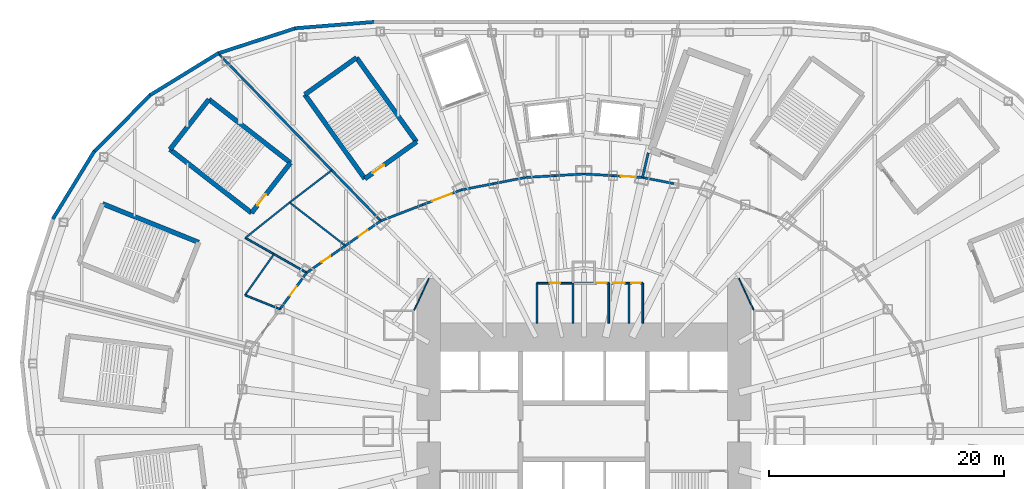
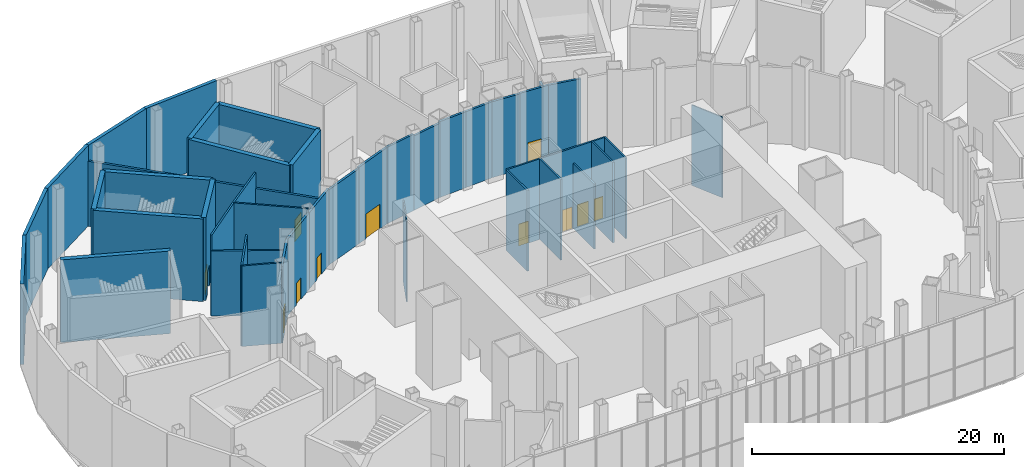
# One storey, part 15 of 74: 42 walls, 11 doors, 11 openings.
"""IFC4 building model written with IfcOpenShell, lengths in metres."""

from ifc_helpers import new_model, si_unit, direction, frame, frame_2d, origin, place, context, subcontext, project, spatial, rectangle, extrude, material, layer, layer_set, type_object, element, fill, save


model = new_model("IFC4")

# Units and contexts
model_context = context("Model", 3, precision=1e-05, world=origin(), true_north=direction((0.0, 1.0)))
body_context = subcontext(model_context, "Body", "Model", "MODEL_VIEW")
ifc_project = project(units=[si_unit("LENGTHUNIT", "METRE"), si_unit("AREAUNIT", "SQUARE_METRE"), si_unit("VOLUMEUNIT", "CUBIC_METRE"), si_unit("PLANEANGLEUNIT", "RADIAN"), si_unit("MASSUNIT", "GRAM", prefix="KILO")], contexts=[model_context])

# Site, building, storey
site_placement = place(None, origin())
site = spatial("IfcSite", under=ifc_project, at=site_placement, CompositionType="ELEMENT")
building_placement = place(site_placement, origin())
building = spatial("IfcBuilding", under=site, at=building_placement, Name="Lantaw Convention Tower", CompositionType="ELEMENT")
storey_placement = place(building_placement, frame((0.0, 0.0, 6.5)))
storey = spatial("IfcBuildingStorey", under=building, at=storey_placement, Name="L01", CompositionType="ELEMENT", Elevation=6.5)

# Walls
ifc_material_1 = material(Name="Gypsum board on steel studs, acoustic", Category="steel")
ifc_layer_1 = layer(ifc_material_1, 0.10009765625)
ifc_layer_set_1 = layer_set([ifc_layer_1], Name="Office partition 100")
wall_type_1 = type_object("IfcWallType", Name="Office partition 100", PredefinedType="PARTITIONING", material=ifc_layer_set_1)
for number, where, z_axis, x_axis, name in (
    (1, (13.199951171875, 13.0, 0.0), (0.0, 0.0, 1.0), (0.420129824888, -0.907464010437, 0.0), "Office partition 100"),
    (2, (-13.199951171875, 13.0, 0.0), (0.0, 0.0, 1.0), (-0.420129824888, -0.907464010437, 0.0), "Office partition 100"),
):
    element("IfcWall", number, at=place(storey_placement, frame(where, z_axis=z_axis, x_axis=x_axis)), inside=storey, type_object=wall_type_1, Name=name, PredefinedType="PARTITIONING", context=body_context, shape_type="SweptSolid", body=[
        extrude(rectangle(XDim=2.975341796875, YDim=0.10009765625, at=frame_2d((1.48779296875, 0.0))), origin(), (0.0, 0.0, 1.0), 7.800048828125),
    ])
ifc_material_2 = material(Name="Precast concrete panel, pale aluminium rainscreen", Category="concrete")
ifc_layer_2 = layer(ifc_material_2, 0.300048828125)
ifc_layer_set_2 = layer_set([ifc_layer_2], Name="Podium external wall 300")
wall_type_2 = type_object("IfcWallType", Name="Podium external wall 300", PredefinedType="SOLIDWALL", material=ifc_layer_set_2)
wall_1_placement = place(storey_placement, frame((-17.781494140625, 34.853759765625, 0.0), z_axis=(0.0, 0.0, 1.0), x_axis=(-0.996791084449, -0.080047073422, 0.0)))
element("IfcWall", 3, at=wall_1_placement, inside=storey, type_object=wall_type_2, Name="Podium facade wall", PredefinedType="SOLIDWALL", context=body_context, shape_type="SweptSolid", body=[
    extrude(rectangle(XDim=6.84716796875, YDim=0.300048828125, at=frame_2d((3.423583984375, 0.0))), origin(), (0.0, 0.0, 1.0), 7.800048828125),
])
wall_2_placement = place(storey_placement, frame((-24.49462890625, 34.327880859375, 0.0), z_axis=(0.0, 0.0, 1.0), x_axis=(-0.951140010357, -0.308759907853, 0.0)))
element("IfcWall", 4, at=wall_2_placement, inside=storey, type_object=wall_type_2, Name="Podium facade wall", PredefinedType="SOLIDWALL", context=body_context, shape_type="SweptSolid", body=[
    extrude(rectangle(XDim=7.041259765625, YDim=0.300048828125, at=frame_2d((3.5205078125, 0.0))), origin(), (0.0, 0.0, 1.0), 7.800048828125),
])
wall_3_placement = place(storey_placement, frame((-31.087646484375, 32.201904296875, 0.0), z_axis=(0.0, 0.0, 1.0), x_axis=(-0.851808565246, -0.52385319334, 0.0)))
element("IfcWall", 5, at=wall_3_placement, inside=storey, type_object=wall_type_2, Name="Podium facade wall", PredefinedType="SOLIDWALL", context=body_context, shape_type="SweptSolid", body=[
    extrude(rectangle(XDim=6.860595703125, YDim=0.300048828125, at=frame_2d((3.43017578125, 0.0))), origin(), (0.0, 0.0, 1.0), 7.800048828125),
])
wall_4_placement = place(storey_placement, frame((-36.841552734375, 28.678955078125, 0.0), z_axis=(0.0, 0.0, 1.0), x_axis=(-0.705874614645, -0.708336804352, 0.0)))
element("IfcWall", 6, at=wall_4_placement, inside=storey, type_object=wall_type_2, Name="Podium facade wall", PredefinedType="SOLIDWALL", context=body_context, shape_type="SweptSolid", body=[
    extrude(rectangle(XDim=6.94091796875, YDim=0.300048828125, at=frame_2d((3.470458984375, 0.0))), origin(), (0.0, 0.0, 1.0), 7.800048828125),
])
wall_5_placement = place(storey_placement, frame((-41.670166015625, 23.852294921875, 0.0), z_axis=(0.0, 0.0, 1.0), x_axis=(-0.52225340952, -0.852790347181, 0.0)))
element("IfcWall", 7, at=wall_5_placement, inside=storey, type_object=wall_type_2, Name="Podium facade wall", PredefinedType="SOLIDWALL", context=body_context, shape_type="SweptSolid", body=[
    extrude(rectangle(XDim=6.77099609375, YDim=0.300048828125, at=frame_2d((3.385498046875, 0.0))), origin(), (0.0, 0.0, 1.0), 7.800048828125),
])

# Wall, opening, door
ifc_material_3 = material(Name="Concrete blockwork, fire rated", Category="masonry")
ifc_layer_3 = layer(ifc_material_3, 0.199951171875)
ifc_layer_set_3 = layer_set([ifc_layer_3], Name="Podium lobby wall 200 EI 120")
wall_type_3 = type_object("IfcWallType", Name="Podium lobby wall 200 EI 120", PredefinedType="SOLIDWALL", material=ifc_layer_set_3)
wall_6_placement = place(storey_placement, frame((4.986328125, 21.59814453125, 0.0), z_axis=(0.0, 0.0, 1.0), x_axis=(-0.998172405641, 0.060430527186, 0.0)))
wall_6 = element("IfcWall", 8, at=wall_6_placement, inside=storey, type_object=wall_type_3, Name="Podium lobby wall 200", PredefinedType="SOLIDWALL", context=body_context, shape_type="SweptSolid", body=[
    extrude(rectangle(XDim=2.512939453125, YDim=0.199951171875, at=frame_2d((1.25634765625, 0.0))), origin(), (0.0, 0.0, 1.0), 7.396240234375),
])
opening_1_placement = place(wall_6_placement, frame((0.639892578125, 0.0, 0.0)))
opening_1 = element("IfcOpeningElement", 9, at=opening_1_placement, cuts=wall_6, Name="Opening L01.14", PredefinedType="OPENING", context=body_context, shape_type="SweptSolid", body=[
    extrude(rectangle(XDim=1.199951171875, YDim=2.39990234375, at=frame_2d((0.60009765625, 1.199951171875))), frame((0.0, 0.10986328125, 0.0), z_axis=(0.0, -1.0, 0.0), x_axis=(1.0, 0.0, 0.0)), (0.0, 0.0, 1.0), 0.219970703125),
])
ifc_material_4 = material(Name="Steel, fire rated", Category="steel")
door_type_1 = type_object("IfcDoorType", Name="Lobby door 1200 FD90", OperationType="SINGLE_SWING_RIGHT", PredefinedType="DOOR", material=ifc_material_4)
door_1_placement = place(opening_1_placement, origin())
door_1 = element("IfcDoor", 10, at=door_1_placement, inside=storey, type_object=door_type_1, Name="Podium lift lobby door", OperationType="SINGLE_SWING_RIGHT", OverallHeight=2.39990234375, OverallWidth=1.199951171875, PredefinedType="DOOR", context=body_context, shape_type="SweptSolid", body=[
    extrude(rectangle(XDim=1.199951171875, YDim=2.39990234375, at=frame_2d((0.60009765625, 1.199951171875))), frame((0.0, 0.02490234375, 0.0), z_axis=(0.0, -1.0, 0.0), x_axis=(1.0, 0.0, 0.0)), (0.0, 0.0, 1.0), 0.050048828125),
])
fill(opening_1, door_1)

# Walls
ifc_material_5 = material(Name="Concrete blockwork", Category="masonry")
ifc_layer_4 = layer(ifc_material_5, 0.199951171875)
ifc_layer_set_4 = layer_set([ifc_layer_4], Name="Podium partition 200")
wall_type_4 = type_object("IfcWallType", Name="Podium partition 200", PredefinedType="SOLIDWALL", material=ifc_layer_set_4)
wall_7_placement = place(storey_placement, frame((7.671142578125, 21.076416015625, 0.0), z_axis=(0.0, 0.0, 1.0), x_axis=(-0.981637218105, 0.190757364289, 0.0)))
element("IfcWall", 11, at=wall_7_placement, inside=storey, type_object=wall_type_4, Name="Podium partition 200", PredefinedType="SOLIDWALL", context=body_context, shape_type="SweptSolid", body=[
    extrude(rectangle(XDim=2.735107421875, YDim=0.199951171875, at=frame_2d((1.36767578125, 0.0))), origin(), (0.0, 0.0, 1.0), 7.396240234375),
])
wall_8_placement = place(storey_placement, frame((2.47802734375, 21.75, 0.0), z_axis=(0.0, 0.0, 1.0), x_axis=(-0.998175328335, 0.060382231685, 0.0)))
element("IfcWall", 12, at=wall_8_placement, inside=storey, type_object=wall_type_4, Name="Podium partition 200", PredefinedType="SOLIDWALL", context=body_context, shape_type="SweptSolid", body=[
    extrude(rectangle(XDim=2.482666015625, YDim=0.199951171875, at=frame_2d((1.2412109375, 0.0))), origin(), (0.0, 0.0, 1.0), 7.3427734375),
])
wall_9_placement = place(storey_placement, frame((0.0, 21.89990234375, 0.0), z_axis=(0.0, 0.0, 1.0), x_axis=(-0.998175328335, -0.060382231685, 0.0)))
element("IfcWall", 13, at=wall_9_placement, inside=storey, type_object=wall_type_4, Name="Podium partition 200", PredefinedType="SOLIDWALL", context=body_context, shape_type="SweptSolid", body=[
    extrude(rectangle(XDim=2.482666015625, YDim=0.199951171875, at=frame_2d((1.2412109375, 0.0))), origin(), (0.0, 0.0, 1.0), 7.350341796875),
])
wall_10_placement = place(storey_placement, frame((-2.47802734375, 21.75, 0.0), z_axis=(0.0, 0.0, 1.0), x_axis=(-0.998172405641, -0.060430527186, 0.0)))
element("IfcWall", 14, at=wall_10_placement, inside=storey, type_object=wall_type_4, Name="Podium partition 200", PredefinedType="SOLIDWALL", context=body_context, shape_type="SweptSolid", body=[
    extrude(rectangle(XDim=2.512939453125, YDim=0.199951171875, at=frame_2d((1.25634765625, 0.0))), origin(), (0.0, 0.0, 1.0), 7.350341796875),
])
wall_11_placement = place(storey_placement, frame((-4.986328125, 21.59814453125, 0.0), z_axis=(0.0, 0.0, 1.0), x_axis=(-0.981637218105, -0.190757364289, 0.0)))
element("IfcWall", 15, at=wall_11_placement, inside=storey, type_object=wall_type_4, Name="Podium partition 200", PredefinedType="SOLIDWALL", context=body_context, shape_type="SweptSolid", body=[
    extrude(rectangle(XDim=2.735107421875, YDim=0.199951171875, at=frame_2d((1.36767578125, 0.0))), origin(), (0.0, 0.0, 1.0), 7.200439453125),
])
wall_12_placement = place(storey_placement, frame((-7.671142578125, 21.076416015625, 0.0), z_axis=(0.0, 0.0, 1.0), x_axis=(-0.98163593748, -0.190763954266, 0.0)))
element("IfcWall", 16, at=wall_12_placement, inside=storey, type_object=wall_type_4, Name="Podium partition 200", PredefinedType="SOLIDWALL", context=body_context, shape_type="SweptSolid", body=[
    extrude(rectangle(XDim=2.84375, YDim=0.199951171875, at=frame_2d((1.421875, 0.0))), origin(), (0.0, 0.0, 1.0), 7.396240234375),
])

# Wall, opening, door
wall_13_placement = place(storey_placement, frame((-10.462646484375, 20.533935546875, 0.0), z_axis=(0.0, 0.0, 1.0), x_axis=(-0.933241815012, -0.359248820058, 0.0)))
wall_13 = element("IfcWall", 17, at=wall_13_placement, inside=storey, type_object=wall_type_4, Name="Podium partition 200", PredefinedType="SOLIDWALL", context=body_context, shape_type="SweptSolid", body=[
    extrude(rectangle(XDim=3.517578125, YDim=0.199951171875, at=frame_2d((1.7587890625, 0.0))), origin(), (0.0, 0.0, 1.0), 7.396240234375),
])
opening_2_placement = place(wall_13_placement, frame((0.85888671875, 0.0, 0.0)))
opening_2 = element("IfcOpeningElement", 18, at=opening_2_placement, cuts=wall_13, Name="Opening L01.15", PredefinedType="OPENING", context=body_context, shape_type="SweptSolid", body=[
    extrude(rectangle(XDim=1.800048828125, YDim=2.39990234375, at=frame_2d((0.89990234375, 1.199951171875))), frame((0.0, 0.10986328125, 0.0), z_axis=(0.0, -1.0, 0.0), x_axis=(1.0, 0.0, 0.0)), (0.0, 0.0, 1.0), 0.219970703125),
])
ifc_material_6 = material(Name="Timber", Category="wood")
door_type_2 = type_object("IfcDoorType", Name="Hall double door 1800", OperationType="DOUBLE_DOOR_DOUBLE_SWING", PredefinedType="DOOR", material=ifc_material_6)
door_2_placement = place(opening_2_placement, origin())
door_2 = element("IfcDoor", 19, at=door_2_placement, inside=storey, type_object=door_type_2, Name="Goods corridor door", OperationType="DOUBLE_DOOR_DOUBLE_SWING", OverallHeight=2.39990234375, OverallWidth=1.800048828125, PredefinedType="DOOR", context=body_context, shape_type="SweptSolid", body=[
    extrude(rectangle(XDim=1.800048828125, YDim=2.39990234375, at=frame_2d((0.89990234375, 1.199951171875))), frame((0.0, 0.02490234375, 0.0), z_axis=(0.0, -1.0, 0.0), x_axis=(1.0, 0.0, 0.0)), (0.0, 0.0, 1.0), 0.050048828125),
])
fill(opening_2, door_2)

# Wall
wall_14_placement = place(storey_placement, frame((-13.745361328125, 19.270263671875, 0.0), z_axis=(0.0, 0.0, 1.0), x_axis=(-0.933224646415, -0.359293416754, 0.0)))
element("IfcWall", 20, at=wall_14_placement, inside=storey, type_object=wall_type_4, Name="Podium partition 200", PredefinedType="SOLIDWALL", context=body_context, shape_type="SweptSolid", body=[
    extrude(rectangle(XDim=3.799072265625, YDim=0.199951171875, at=frame_2d((1.8994140625, 0.0))), origin(), (0.0, 0.0, 1.0), 7.274169921875),
])

# Wall, opening, door
wall_15_placement = place(storey_placement, frame((-17.290771484375, 17.9052734375, 0.0), z_axis=(0.0, 0.0, 1.0), x_axis=(-0.819409395821, -0.573208724672, 0.0)))
wall_15 = element("IfcWall", 21, at=wall_15_placement, inside=storey, type_object=wall_type_4, Name="Podium partition 200", PredefinedType="SOLIDWALL", context=body_context, shape_type="SweptSolid", body=[
    extrude(rectangle(XDim=3.682861328125, YDim=0.199951171875, at=frame_2d((1.84130859375, 0.0))), origin(), (0.0, 0.0, 1.0), 7.396240234375),
])
opening_3_placement = place(wall_15_placement, frame((1.391357421875, 0.0, 0.0)))
opening_3 = element("IfcOpeningElement", 22, at=opening_3_placement, cuts=wall_15, Name="Opening L01.16", PredefinedType="OPENING", context=body_context, shape_type="SweptSolid", body=[
    extrude(rectangle(XDim=0.89990234375, YDim=2.10009765625, at=frame_2d((0.449951171875, 1.050048828125))), frame((0.0, 0.10986328125, 0.0), z_axis=(0.0, -1.0, 0.0), x_axis=(1.0, 0.0, 0.0)), (0.0, 0.0, 1.0), 0.219970703125),
])
door_type_3 = type_object("IfcDoorType", Name="WC door 900", OperationType="SINGLE_SWING_LEFT", PredefinedType="DOOR", material=ifc_material_6)
door_3_placement = place(opening_3_placement, origin())
door_3 = element("IfcDoor", 23, at=door_3_placement, inside=storey, type_object=door_type_3, Name="Male WC door", OperationType="SINGLE_SWING_LEFT", OverallHeight=2.10009765625, OverallWidth=0.89990234375, PredefinedType="DOOR", context=body_context, shape_type="SweptSolid", body=[
    extrude(rectangle(XDim=0.89990234375, YDim=2.10009765625, at=frame_2d((0.449951171875, 1.050048828125))), frame((0.0, 0.02490234375, 0.0), z_axis=(0.0, -1.0, 0.0), x_axis=(1.0, 0.0, 0.0)), (0.0, 0.0, 1.0), 0.050048828125),
])
fill(opening_3, door_3)

wall_16_placement = place(storey_placement, frame((-20.30859375, 15.794189453125, 0.0), z_axis=(0.0, 0.0, 1.0), x_axis=(-0.819442856133, -0.573160889744, 0.0)))
wall_16 = element("IfcWall", 24, at=wall_16_placement, inside=storey, type_object=wall_type_4, Name="Podium partition 200", PredefinedType="SOLIDWALL", context=body_context, shape_type="SweptSolid", body=[
    extrude(rectangle(XDim=4.022705078125, YDim=0.199951171875, at=frame_2d((2.01123046875, 0.0))), origin(), (0.0, 0.0, 1.0), 7.396240234375),
])
opening_4_placement = place(wall_16_placement, frame((1.561279296875, 0.0, 0.0)))
opening_4 = element("IfcOpeningElement", 25, at=opening_4_placement, cuts=wall_16, Name="Opening L01.17", PredefinedType="OPENING", context=body_context, shape_type="SweptSolid", body=[
    extrude(rectangle(XDim=0.89990234375, YDim=2.10009765625, at=frame_2d((0.449951171875, 1.050048828125))), frame((0.0, 0.10986328125, 0.0), z_axis=(0.0, -1.0, 0.0), x_axis=(1.0, 0.0, 0.0)), (0.0, 0.0, 1.0), 0.219970703125),
])
door_4_placement = place(opening_4_placement, origin())
door_4 = element("IfcDoor", 26, at=door_4_placement, inside=storey, type_object=door_type_3, Name="Female WC door", OperationType="SINGLE_SWING_LEFT", OverallHeight=2.10009765625, OverallWidth=0.89990234375, PredefinedType="DOOR", context=body_context, shape_type="SweptSolid", body=[
    extrude(rectangle(XDim=0.89990234375, YDim=2.10009765625, at=frame_2d((0.449951171875, 1.050048828125))), frame((0.0, 0.02490234375, 0.0), z_axis=(0.0, -1.0, 0.0), x_axis=(1.0, 0.0, 0.0)), (0.0, 0.0, 1.0), 0.050048828125),
])
fill(opening_4, door_4)

wall_17_placement = place(storey_placement, frame((-23.60498046875, 13.488525390625, 0.0), z_axis=(0.0, 0.0, 1.0), x_axis=(-0.591286566758, -0.806461527893, 0.0)))
wall_17 = element("IfcWall", 27, at=wall_17_placement, inside=storey, type_object=wall_type_4, Name="Podium partition 200", PredefinedType="SOLIDWALL", context=body_context, shape_type="SweptSolid", body=[
    extrude(rectangle(XDim=3.843994140625, YDim=0.199951171875, at=frame_2d((1.921875, 0.0))), origin(), (0.0, 0.0, 1.0), 7.396240234375),
])
opening_5_placement = place(wall_17_placement, frame((1.422119140625, 0.0, 0.0)))
opening_5 = element("IfcOpeningElement", 28, at=opening_5_placement, cuts=wall_17, Name="Opening L01.18", PredefinedType="OPENING", context=body_context, shape_type="SweptSolid", body=[
    extrude(rectangle(XDim=1.0, YDim=2.10009765625, at=frame_2d((0.5, 1.050048828125))), frame((0.0, 0.10986328125, 0.0), z_axis=(0.0, -1.0, 0.0), x_axis=(1.0, 0.0, 0.0)), (0.0, 0.0, 1.0), 0.219970703125),
])
door_type_4 = type_object("IfcDoorType", Name="Accessible WC door 1000", OperationType="SINGLE_SWING_LEFT", PredefinedType="DOOR", material=ifc_material_6)
door_5_placement = place(opening_5_placement, origin())
door_5 = element("IfcDoor", 29, at=door_5_placement, inside=storey, type_object=door_type_4, Name="Accessible WC door", OperationType="SINGLE_SWING_LEFT", OverallHeight=2.10009765625, OverallWidth=1.0, PredefinedType="DOOR", context=body_context, shape_type="SweptSolid", body=[
    extrude(rectangle(XDim=1.0, YDim=2.10009765625, at=frame_2d((0.5, 1.050048828125))), frame((0.0, 0.02490234375, 0.0), z_axis=(0.0, -1.0, 0.0), x_axis=(1.0, 0.0, 0.0)), (0.0, 0.0, 1.0), 0.050048828125),
])
fill(opening_5, door_5)

# Walls
wall_18_placement = place(storey_placement, frame((4.986328125, 21.59814453125, 0.0), z_axis=(0.0, 0.0, 1.0), x_axis=(0.227351065365, 0.973812863479, 0.0)))
element("IfcWall", 30, at=wall_18_placement, inside=storey, type_object=wall_type_4, Name="Podium partition 200", PredefinedType="SOLIDWALL", context=body_context, shape_type="SweptSolid", body=[
    extrude(rectangle(XDim=2.16064453125, YDim=0.199951171875, at=frame_2d((1.080322265625, 0.0))), origin(), (0.0, 0.0, 1.0), 6.300048828125),
])
wall_19_placement = place(storey_placement, frame((-17.290771484375, 17.9052734375, 0.0), z_axis=(0.0, 0.0, 1.0), x_axis=(-0.696460684513, 0.717594951855, 0.0)))
element("IfcWall", 31, at=wall_19_placement, inside=storey, type_object=wall_type_4, Name="Podium partition 200", PredefinedType="SOLIDWALL", context=body_context, shape_type="SweptSolid", body=[
    extrude(rectangle(XDim=19.880859375, YDim=0.199951171875, at=frame_2d((9.9404296875, 0.0))), origin(), (0.0, 0.0, 1.0), 6.300048828125),
])
ifc_material_7 = material(Name="Concrete C40/50, stair core", Category="concrete")
ifc_layer_5 = layer(ifc_material_7, 0.39990234375)
ifc_layer_set_5 = layer_set([ifc_layer_5], Name="Stair enclosure wall 400 EI 120")
wall_type_5 = type_object("IfcWallType", Name="Stair enclosure wall 400 EI 120", PredefinedType="SHEAR", material=ifc_layer_set_5)
wall_20_placement = place(storey_placement, frame((-14.2509765625, 24.628662109375, 0.0), z_axis=(0.0, 0.0, 1.0), x_axis=(-0.580705313356, 0.814113836659, 0.0)))
element("IfcWall", 32, at=wall_20_placement, inside=storey, type_object=wall_type_5, Name="Stair enclosure wall", PredefinedType="SHEAR", context=body_context, shape_type="SweptSolid", body=[
    extrude(rectangle(XDim=8.7998046875, YDim=0.39990234375, at=frame_2d((4.39990234375, 0.0))), origin(), (0.0, 0.0, 1.0), 8.0),
])
wall_21_placement = place(storey_placement, frame((-19.361083984375, 31.792724609375, 0.0), z_axis=(0.0, 0.0, 1.0), x_axis=(-0.814121252423, -0.580694916762, 0.0)))
element("IfcWall", 33, at=wall_21_placement, inside=storey, type_object=wall_type_5, Name="Stair enclosure wall", PredefinedType="SHEAR", context=body_context, shape_type="SweptSolid", body=[
    extrude(rectangle(XDim=5.39990234375, YDim=0.39990234375, at=frame_2d((2.699951171875, 0.0))), origin(), (0.0, 0.0, 1.0), 8.0),
])
wall_22_placement = place(storey_placement, frame((-23.75732421875, 28.656982421875, 0.0), z_axis=(0.0, 0.0, 1.0), x_axis=(0.580705313356, -0.814113836659, 0.0)))
element("IfcWall", 34, at=wall_22_placement, inside=storey, type_object=wall_type_5, Name="Stair enclosure wall", PredefinedType="SHEAR", context=body_context, shape_type="SweptSolid", body=[
    extrude(rectangle(XDim=8.7998046875, YDim=0.39990234375, at=frame_2d((4.39990234375, 0.0))), origin(), (0.0, 0.0, 1.0), 8.0),
])

# Wall, opening, door
wall_23_placement = place(storey_placement, frame((-18.647216796875, 21.492919921875, 0.0), z_axis=(0.0, 0.0, 1.0), x_axis=(0.814121252423, 0.580694916762, 0.0)))
wall_23 = element("IfcWall", 35, at=wall_23_placement, inside=storey, type_object=wall_type_5, Name="Stair enclosure wall", PredefinedType="SHEAR", context=body_context, shape_type="SweptSolid", body=[
    extrude(rectangle(XDim=5.39990234375, YDim=0.39990234375, at=frame_2d((2.699951171875, 0.0))), origin(), (0.0, 0.0, 1.0), 8.0),
])
opening_6_placement = place(wall_23_placement, frame((0.800048828125, 0.0, 0.0)))
opening_6 = element("IfcOpeningElement", 36, at=opening_6_placement, cuts=wall_23, Name="Opening L01.P6", PredefinedType="OPENING", context=body_context, shape_type="SweptSolid", body=[
    extrude(rectangle(XDim=1.199951171875, YDim=2.10009765625, at=frame_2d((0.60009765625, 1.050048828125))), frame((0.0, 0.2099609375, 0.0), z_axis=(0.0, -1.0, 0.0), x_axis=(1.0, 0.0, 0.0)), (0.0, 0.0, 1.0), 0.419921875),
])
door_type_5 = type_object("IfcDoorType", Name="Stair door FD90", OperationType="SINGLE_SWING_RIGHT", PredefinedType="DOOR", material=ifc_material_4)
door_6_placement = place(opening_6_placement, origin())
door_6 = element("IfcDoor", 37, at=door_6_placement, inside=storey, type_object=door_type_5, Name="Exit stair door", OperationType="SINGLE_SWING_RIGHT", OverallHeight=2.10009765625, OverallWidth=1.199951171875, PredefinedType="DOOR", context=body_context, shape_type="SweptSolid", body=[
    extrude(rectangle(XDim=1.199951171875, YDim=2.10009765625, at=frame_2d((0.60009765625, 1.050048828125))), frame((0.0, 0.02490234375, 0.0), z_axis=(0.0, -1.0, 0.0), x_axis=(1.0, 0.0, 0.0)), (0.0, 0.0, 1.0), 0.050048828125),
])
fill(opening_6, door_6)

# Walls
wall_24_placement = place(storey_placement, frame((-24.9775390625, 22.845703125, 0.0), z_axis=(0.0, 0.0, 1.0), x_axis=(-0.78938060008, 0.613904119726, 0.0)))
element("IfcWall", 38, at=wall_24_placement, inside=storey, type_object=wall_type_5, Name="Stair enclosure wall", PredefinedType="SHEAR", context=body_context, shape_type="SweptSolid", body=[
    extrude(rectangle(XDim=8.800048828125, YDim=0.39990234375, at=frame_2d((4.39990234375, 0.0))), origin(), (0.0, 0.0, 1.0), 8.0),
])
wall_25_placement = place(storey_placement, frame((-31.924072265625, 28.248046875, 0.0), z_axis=(0.0, 0.0, 1.0), x_axis=(-0.613912443548, -0.789374126544, 0.0)))
element("IfcWall", 39, at=wall_25_placement, inside=storey, type_object=wall_type_5, Name="Stair enclosure wall", PredefinedType="SHEAR", context=body_context, shape_type="SweptSolid", body=[
    extrude(rectangle(XDim=5.400146484375, YDim=0.39990234375, at=frame_2d((2.7001953125, 0.0))), origin(), (0.0, 0.0, 1.0), 8.0),
])
wall_26_placement = place(storey_placement, frame((-35.2392578125, 23.9853515625, 0.0), z_axis=(0.0, 0.0, 1.0), x_axis=(0.78938060008, -0.613904119726, 0.0)))
element("IfcWall", 40, at=wall_26_placement, inside=storey, type_object=wall_type_5, Name="Stair enclosure wall", PredefinedType="SHEAR", context=body_context, shape_type="SweptSolid", body=[
    extrude(rectangle(XDim=8.800048828125, YDim=0.39990234375, at=frame_2d((4.39990234375, 0.0))), origin(), (0.0, 0.0, 1.0), 8.0),
])

# Wall, opening, door
wall_27_placement = place(storey_placement, frame((-28.292724609375, 18.5830078125, 0.0), z_axis=(0.0, 0.0, 1.0), x_axis=(0.613912443548, 0.789374126544, 0.0)))
wall_27 = element("IfcWall", 41, at=wall_27_placement, inside=storey, type_object=wall_type_5, Name="Stair enclosure wall", PredefinedType="SHEAR", context=body_context, shape_type="SweptSolid", body=[
    extrude(rectangle(XDim=5.400146484375, YDim=0.39990234375, at=frame_2d((2.7001953125, 0.0))), origin(), (0.0, 0.0, 1.0), 8.0),
])
opening_7_placement = place(wall_27_placement, frame((0.800048828125, 0.0, 0.0)))
opening_7 = element("IfcOpeningElement", 42, at=opening_7_placement, cuts=wall_27, Name="Opening L01.P7", PredefinedType="OPENING", context=body_context, shape_type="SweptSolid", body=[
    extrude(rectangle(XDim=1.199951171875, YDim=2.10009765625, at=frame_2d((0.60009765625, 1.050048828125))), frame((0.0, 0.2099609375, 0.0), z_axis=(0.0, -1.0, 0.0), x_axis=(1.0, 0.0, 0.0)), (0.0, 0.0, 1.0), 0.419921875),
])
door_7_placement = place(opening_7_placement, origin())
door_7 = element("IfcDoor", 43, at=door_7_placement, inside=storey, type_object=door_type_5, Name="Exit stair door", OperationType="SINGLE_SWING_RIGHT", OverallHeight=2.10009765625, OverallWidth=1.199951171875, PredefinedType="DOOR", context=body_context, shape_type="SweptSolid", body=[
    extrude(rectangle(XDim=1.199951171875, YDim=2.10009765625, at=frame_2d((0.60009765625, 1.050048828125))), frame((0.0, 0.02490234375, 0.0), z_axis=(0.0, -1.0, 0.0), x_axis=(1.0, 0.0, 0.0)), (0.0, 0.0, 1.0), 0.050048828125),
])
fill(opening_7, door_7)

# Walls
wall_28_placement = place(storey_placement, frame((-32.800048828125, 16.07666015625, 0.0), z_axis=(0.0, 0.0, 1.0), x_axis=(-0.92801678004, 0.372538395288, 0.0)))
element("IfcWall", 44, at=wall_28_placement, inside=storey, type_object=wall_type_5, Name="Stair enclosure wall", PredefinedType="SHEAR", context=body_context, shape_type="SweptSolid", body=[
    extrude(rectangle(XDim=8.800048828125, YDim=0.39990234375, at=frame_2d((4.39990234375, 0.0))), origin(), (0.0, 0.0, 1.0), 8.0),
])
ifc_layer_6 = layer(ifc_material_5, 0.14990234375)
ifc_layer_set_6 = layer_set([ifc_layer_6], Name="WC wall 150")
wall_type_6 = type_object("IfcWallType", Name="WC wall 150", PredefinedType="SOLIDWALL", material=ifc_layer_set_6)
wall_29_placement = place(storey_placement, frame((-21.469482421875, 22.210693359375, 0.0), z_axis=(0.0, 0.0, 1.0), x_axis=(-0.794122703503, -0.607757461313, 0.0)))
element("IfcWall", 45, at=wall_29_placement, inside=storey, type_object=wall_type_6, Name="WC wall 150", PredefinedType="SOLIDWALL", context=body_context, shape_type="SweptSolid", body=[
    extrude(rectangle(XDim=4.51025390625, YDim=0.14990234375, at=frame_2d((2.255126953125, 0.0))), origin(), (0.0, 0.0, 1.0), 7.800048828125),
])
wall_30_placement = place(storey_placement, frame((-20.30859375, 15.794189453125, 0.0), z_axis=(0.0, 0.0, 1.0), x_axis=(-0.790437708207, 0.61254243073, 0.0)))
element("IfcWall", 46, at=wall_30_placement, inside=storey, type_object=wall_type_6, Name="WC wall 150", PredefinedType="SOLIDWALL", context=body_context, shape_type="SweptSolid", body=[
    extrude(rectangle(XDim=6.0, YDim=0.14990234375, at=frame_2d((3.0, 0.0))), origin(), (0.0, 0.0, 1.0), 7.800048828125),
])
wall_31_placement = place(storey_placement, frame((-25.05126953125, 19.469482421875, 0.0), z_axis=(0.0, 0.0, 1.0), x_axis=(-0.781204641684, -0.624275025779, 0.0)))
element("IfcWall", 47, at=wall_31_placement, inside=storey, type_object=wall_type_6, Name="WC wall 150", PredefinedType="SOLIDWALL", context=body_context, shape_type="SweptSolid", body=[
    extrude(rectangle(XDim=4.8212890625, YDim=0.14990234375, at=frame_2d((2.41064453125, 0.0))), origin(), (0.0, 0.0, 1.0), 7.800048828125),
])
wall_32_placement = place(storey_placement, frame((-23.60498046875, 13.488525390625, 0.0), z_axis=(0.0, 0.0, 1.0), x_axis=(-0.868778495598, 0.49520089417, 0.0)))
element("IfcWall", 48, at=wall_32_placement, inside=storey, type_object=wall_type_6, Name="WC wall 150", PredefinedType="SOLIDWALL", context=body_context, shape_type="SweptSolid", body=[
    extrude(rectangle(XDim=6.0, YDim=0.14990234375, at=frame_2d((3.0, 0.0))), origin(), (0.0, 0.0, 1.0), 6.300048828125),
])
wall_33_placement = place(storey_placement, frame((-26.385009765625, 15.0732421875, 0.0), z_axis=(0.0, 0.0, 1.0), x_axis=(-0.576153892924, -0.81734123331, 0.0)))
element("IfcWall", 49, at=wall_33_placement, inside=storey, type_object=wall_type_6, Name="WC wall 150", PredefinedType="SOLIDWALL", context=body_context, shape_type="SweptSolid", body=[
    extrude(rectangle(XDim=4.274658203125, YDim=0.14990234375, at=frame_2d((2.13720703125, 0.0))), origin(), (0.0, 0.0, 1.0), 7.800048828125),
])
wall_34_placement = place(storey_placement, frame((-25.8779296875, 10.388427734375, 0.0), z_axis=(0.0, 0.0, 1.0), x_axis=(-0.928160641083, 0.372179827966, 0.0)))
element("IfcWall", 50, at=wall_34_placement, inside=storey, type_object=wall_type_6, Name="WC wall 150", PredefinedType="SOLIDWALL", context=body_context, shape_type="SweptSolid", body=[
    extrude(rectangle(XDim=3.199951171875, YDim=0.14990234375, at=frame_2d((1.60009765625, 0.0))), origin(), (0.0, 0.0, 1.0), 7.800048828125),
])

# Wall, openings, doors
wall_35_placement = place(storey_placement, frame((-4.0, 12.60009765625, 0.0), z_axis=(0.0, 0.0, 1.0), x_axis=(1.0, 0.0, 0.0)))
wall_35 = element("IfcWall", 51, at=wall_35_placement, inside=storey, type_object=wall_type_6, Name="WC wall 150", PredefinedType="SOLIDWALL", context=body_context, shape_type="SweptSolid", body=[
    extrude(rectangle(XDim=9.0, YDim=0.14990234375, at=frame_2d((4.5, 0.0))), origin(), (0.0, 0.0, 1.0), 7.800048828125),
])
opening_8_placement = place(wall_35_placement, frame((1.10009765625, 0.0, 0.0)))
opening_8 = element("IfcOpeningElement", 52, at=opening_8_placement, cuts=wall_35, Name="Opening L01.22", PredefinedType="OPENING", context=body_context, shape_type="SweptSolid", body=[
    extrude(rectangle(XDim=0.89990234375, YDim=2.10009765625, at=frame_2d((0.449951171875, 1.050048828125))), frame((0.0, 0.0849609375, 0.0), z_axis=(0.0, -1.0, 0.0), x_axis=(1.0, 0.0, 0.0)), (0.0, 0.0, 1.0), 0.169921875),
])
opening_9_placement = place(wall_35_placement, frame((5.06005859375, 0.0, 0.0)))
opening_9 = element("IfcOpeningElement", 53, at=opening_9_placement, cuts=wall_35, Name="Opening L01.23", PredefinedType="OPENING", context=body_context, shape_type="SweptSolid", body=[
    extrude(rectangle(XDim=0.89990234375, YDim=2.10009765625, at=frame_2d((0.449951171875, 1.050048828125))), frame((0.0, 0.0849609375, 0.0), z_axis=(0.0, -1.0, 0.0), x_axis=(1.0, 0.0, 0.0)), (0.0, 0.0, 1.0), 0.169921875),
])
opening_10_placement = place(wall_35_placement, frame((6.469970703125, 0.0, 0.0)))
opening_10 = element("IfcOpeningElement", 54, at=opening_10_placement, cuts=wall_35, Name="Opening L01.24", PredefinedType="OPENING", context=body_context, shape_type="SweptSolid", body=[
    extrude(rectangle(XDim=1.0, YDim=2.10009765625, at=frame_2d((0.5, 1.050048828125))), frame((0.0, 0.0849609375, 0.0), z_axis=(0.0, -1.0, 0.0), x_axis=(1.0, 0.0, 0.0)), (0.0, 0.0, 1.0), 0.169921875),
])
opening_11_placement = place(wall_35_placement, frame((8.030029296875, 0.0, 0.0)))
opening_11 = element("IfcOpeningElement", 55, at=opening_11_placement, cuts=wall_35, Name="Opening L01.25", PredefinedType="OPENING", context=body_context, shape_type="SweptSolid", body=[
    extrude(rectangle(XDim=0.800048828125, YDim=2.10009765625, at=frame_2d((0.39990234375, 1.050048828125))), frame((0.0, 0.0849609375, 0.0), z_axis=(0.0, -1.0, 0.0), x_axis=(1.0, 0.0, 0.0)), (0.0, 0.0, 1.0), 0.169921875),
])
door_8_placement = place(opening_10_placement, origin())
door_8 = element("IfcDoor", 56, at=door_8_placement, inside=storey, type_object=door_type_4, Name="Accessible WC door", OperationType="SINGLE_SWING_LEFT", OverallHeight=2.10009765625, OverallWidth=1.0, PredefinedType="DOOR", context=body_context, shape_type="SweptSolid", body=[
    extrude(rectangle(XDim=1.0, YDim=2.10009765625, at=frame_2d((0.5, 1.050048828125))), frame((0.0, 0.02490234375, 0.0), z_axis=(0.0, -1.0, 0.0), x_axis=(1.0, 0.0, 0.0)), (0.0, 0.0, 1.0), 0.050048828125),
])
fill(opening_10, door_8)
door_type_6 = type_object("IfcDoorType", Name="WC door 800", OperationType="SINGLE_SWING_LEFT", PredefinedType="DOOR", material=ifc_material_6)
door_9_placement = place(opening_11_placement, origin())
door_9 = element("IfcDoor", 57, at=door_9_placement, inside=storey, type_object=door_type_6, Name="Cleaner's store door", OperationType="SINGLE_SWING_LEFT", OverallHeight=2.10009765625, OverallWidth=0.800048828125, PredefinedType="DOOR", context=body_context, shape_type="SweptSolid", body=[
    extrude(rectangle(XDim=0.800048828125, YDim=2.10009765625, at=frame_2d((0.39990234375, 1.050048828125))), frame((0.0, 0.02490234375, 0.0), z_axis=(0.0, -1.0, 0.0), x_axis=(1.0, 0.0, 0.0)), (0.0, 0.0, 1.0), 0.050048828125),
])
fill(opening_11, door_9)
door_10_placement = place(opening_8_placement, origin())
door_10 = element("IfcDoor", 58, at=door_10_placement, inside=storey, type_object=door_type_3, Name="Male WC door", OperationType="SINGLE_SWING_LEFT", OverallHeight=2.10009765625, OverallWidth=0.89990234375, PredefinedType="DOOR", context=body_context, shape_type="SweptSolid", body=[
    extrude(rectangle(XDim=0.89990234375, YDim=2.10009765625, at=frame_2d((0.449951171875, 1.050048828125))), frame((0.0, 0.02490234375, 0.0), z_axis=(0.0, -1.0, 0.0), x_axis=(1.0, 0.0, 0.0)), (0.0, 0.0, 1.0), 0.050048828125),
])
fill(opening_8, door_10)
door_11_placement = place(opening_9_placement, origin())
door_11 = element("IfcDoor", 59, at=door_11_placement, inside=storey, type_object=door_type_3, Name="Female WC door", OperationType="SINGLE_SWING_LEFT", OverallHeight=2.10009765625, OverallWidth=0.89990234375, PredefinedType="DOOR", context=body_context, shape_type="SweptSolid", body=[
    extrude(rectangle(XDim=0.89990234375, YDim=2.10009765625, at=frame_2d((0.449951171875, 1.050048828125))), frame((0.0, 0.02490234375, 0.0), z_axis=(0.0, -1.0, 0.0), x_axis=(1.0, 0.0, 0.0)), (0.0, 0.0, 1.0), 0.050048828125),
])
fill(opening_9, door_11)

# Walls
for number, where, z_axis, x_axis, name in (
    (60, (-4.0, 9.199951171875, 0.0), (0.0, 0.0, 1.0), (0.0, 1.0, 0.0), "WC wall 150"),
    (61, (5.0, 9.199951171875, 0.0), (0.0, 0.0, 1.0), (0.0, 1.0, 0.0), "WC wall 150"),
    (62, (-0.93994140625, 9.199951171875, 0.0), (0.0, 0.0, 1.0), (0.0, 1.0, 0.0), "WC wall 150"),
):
    element("IfcWall", number, at=place(storey_placement, frame(where, z_axis=z_axis, x_axis=x_axis)), inside=storey, type_object=wall_type_6, Name=name, PredefinedType="SOLIDWALL", context=body_context, shape_type="SweptSolid", body=[
        extrude(rectangle(XDim=3.400146484375, YDim=0.14990234375, at=frame_2d((1.7001953125, 0.0))), origin(), (0.0, 0.0, 1.0), 7.800048828125),
    ])
wall_36_placement = place(storey_placement, frame((2.1201171875, 9.199951171875, 0.0), z_axis=(0.0, 0.0, 1.0), x_axis=(0.0, 1.0, 0.0)))
element("IfcWall", 63, at=wall_36_placement, inside=storey, type_object=wall_type_6, Name="WC wall 150", PredefinedType="SOLIDWALL", context=body_context, shape_type="SweptSolid", body=[
    extrude(rectangle(XDim=3.400146484375, YDim=0.14990234375, at=frame_2d((1.7001953125, 0.0))), origin(), (0.0, 0.0, 1.0), 6.300048828125),
])
wall_37_placement = place(storey_placement, frame((3.830078125, 9.199951171875, 0.0), z_axis=(0.0, 0.0, 1.0), x_axis=(0.0, 1.0, 0.0)))
element("IfcWall", 64, at=wall_37_placement, inside=storey, type_object=wall_type_6, Name="WC wall 150", PredefinedType="SOLIDWALL", context=body_context, shape_type="SweptSolid", body=[
    extrude(rectangle(XDim=3.400146484375, YDim=0.14990234375, at=frame_2d((1.7001953125, 0.0))), origin(), (0.0, 0.0, 1.0), 7.800048828125),
])

save(model, "model.ifc")
